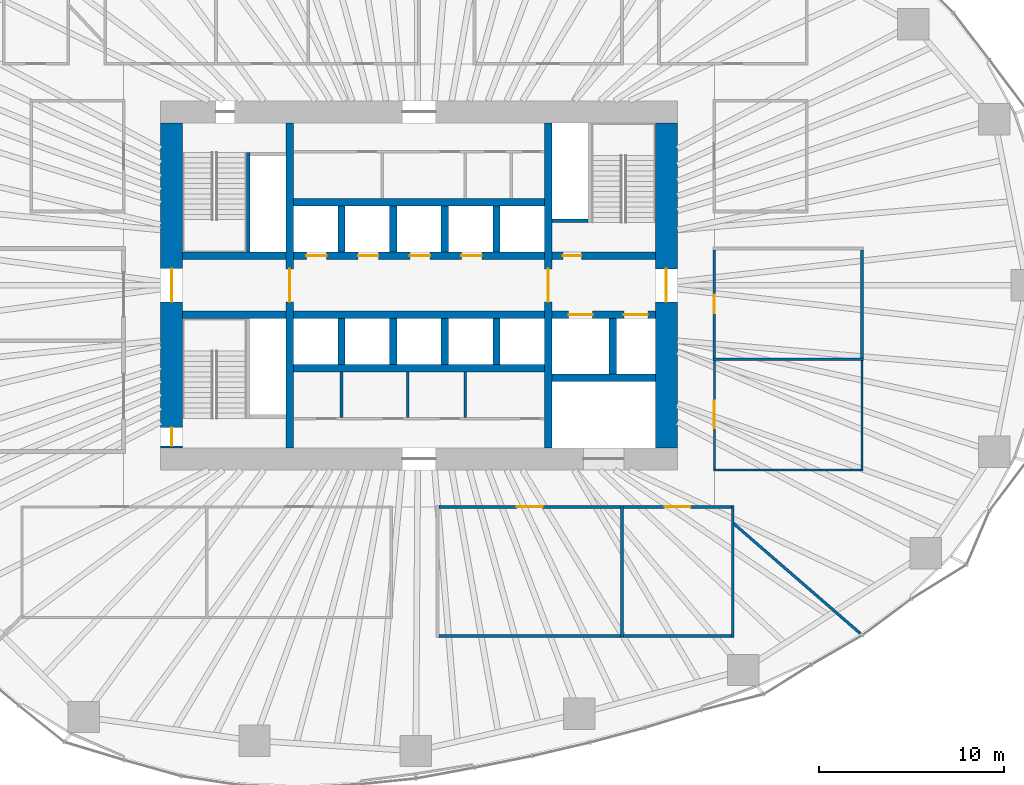
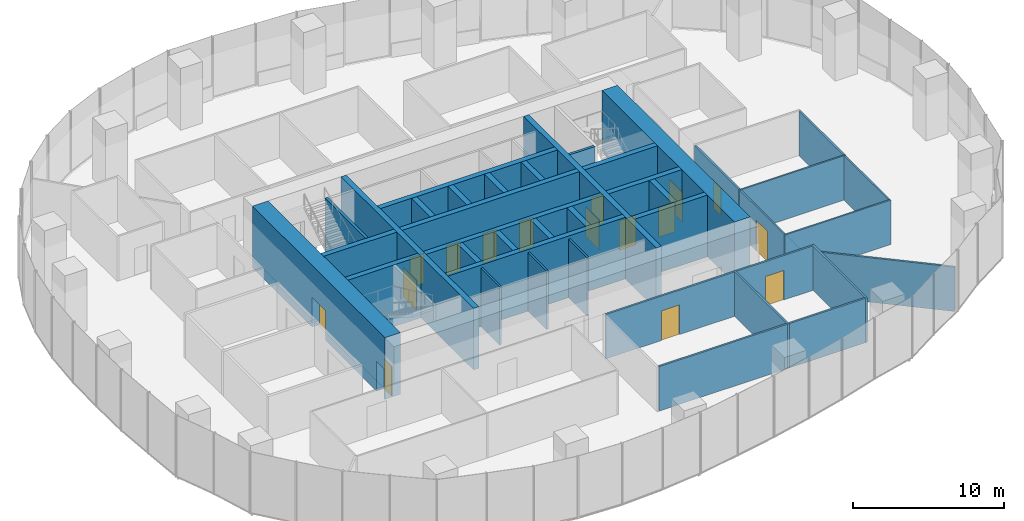
# One storey, part 10 of 20: 40 walls, 16 doors, 16 openings.
"""IFC4 building model written with IfcOpenShell, lengths in metres."""

from ifc_helpers import new_model, si_unit, direction, frame, frame_2d, origin, place, context, subcontext, project, spatial, rectangle, extrude, material, layer, layer_set, type_object, element, fill, save


model = new_model("IFC4")

# Units and contexts
model_context = context("Model", 3, precision=1e-05, world=origin(), true_north=direction((0.0, 1.0)))
body_context = subcontext(model_context, "Body", "Model", "MODEL_VIEW")
ifc_project = project(units=[si_unit("LENGTHUNIT", "METRE"), si_unit("AREAUNIT", "SQUARE_METRE"), si_unit("VOLUMEUNIT", "CUBIC_METRE"), si_unit("PLANEANGLEUNIT", "RADIAN"), si_unit("MASSUNIT", "GRAM", prefix="KILO")], contexts=[model_context])

# Site, building, storey
site_placement = place(None, origin())
site = spatial("IfcSite", under=ifc_project, at=site_placement, CompositionType="ELEMENT")
building_placement = place(site_placement, origin())
building = spatial("IfcBuilding", under=site, at=building_placement, Name="Ghaith Harvest Tower", CompositionType="ELEMENT")
storey_placement = place(building_placement, frame((0.0, 0.0, 80.0)))
storey = spatial("IfcBuildingStorey", under=building, at=storey_placement, Name="L16", CompositionType="ELEMENT", Elevation=80.0)

# Walls
ifc_material_1 = material(Name="Concrete blockwork, fair-faced", Category="masonry")
ifc_layer_1 = layer(ifc_material_1, 0.139892578125)
ifc_layer_set_1 = layer_set([ifc_layer_1], Name="CORE PARTITION 140")
wall_type_1 = type_object("IfcWallType", Name="CORE PARTITION 140", PredefinedType="PARTITIONING", material=ifc_layer_set_1)
for number, where, z_axis, x_axis, name in (
    (1, (-4.199951171875, -4.699951171875, 0.0), (0.0, 0.0, 1.0), (0.0, -1.0, 0.0), "Core partition L16"),
    (2, (-0.60009765625, -4.699951171875, 0.0), (0.0, 0.0, 1.0), (0.0, -1.0, 0.0), "Core partition L16"),
    (3, (2.5, -4.699951171875, 0.0), (0.0, 0.0, 1.0), (0.0, -1.0, 0.0), "Core partition L16"),
):
    element("IfcWall", number, at=place(storey_placement, frame(where, z_axis=z_axis, x_axis=x_axis)), inside=storey, type_object=wall_type_1, Name=name, PredefinedType="PARTITIONING", context=body_context, shape_type="SweptSolid", body=[
        extrude(rectangle(XDim=2.4599609375, YDim=0.139892578125, at=frame_2d((1.22998046875, 0.0))), origin(), (0.0, 0.0, 1.0), 4.75),
    ])

# Wall, openings, doors
ifc_material_2 = material(Name="Concrete C70/85", Category="concrete")
ifc_layer_2 = layer(ifc_material_2, 1.199951171875)
ifc_layer_set_2 = layer_set([ifc_layer_2], Name="CORE WALL CW1200")
wall_type_2 = type_object("IfcWallType", Name="CORE WALL CW1200", PredefinedType="SHEAR", material=ifc_layer_set_2)
wall_1_placement = place(storey_placement, frame((-13.39990234375, 8.800048828125, 0.0), z_axis=(0.0, 0.0, 1.0), x_axis=(0.0, -1.0, 0.0)))
wall_1 = element("IfcWall", 4, at=wall_1_placement, inside=storey, type_object=wall_type_2, Name="Core wall W L16", PredefinedType="SHEAR", context=body_context, shape_type="SweptSolid", body=[
    extrude(rectangle(XDim=17.60009765625, YDim=1.199951171875, at=frame_2d((8.800048828125, 0.0))), origin(), (0.0, 0.0, 1.0), 5.0),
])
opening_1_placement = place(wall_1_placement, frame((7.89990234375, 0.0, 0.0)))
opening_1 = element("IfcOpeningElement", 5, at=opening_1_placement, cuts=wall_1, Name="Opening 16-001", PredefinedType="OPENING", context=body_context, shape_type="SweptSolid", body=[
    extrude(rectangle(XDim=1.800048828125, YDim=2.39990234375, at=frame_2d((0.89990234375, 1.199951171875))), frame((0.0, 0.60986328125, 0.0), z_axis=(0.0, -1.0, 0.0), x_axis=(1.0, 0.0, 0.0)), (0.0, 0.0, 1.0), 1.219970703125),
])
opening_2_placement = place(wall_1_placement, frame((16.5, 0.0, 0.0)))
opening_2 = element("IfcOpeningElement", 6, at=opening_2_placement, cuts=wall_1, Name="Opening 16-006", PredefinedType="OPENING", context=body_context, shape_type="SweptSolid", body=[
    extrude(rectangle(XDim=1.0, YDim=2.39990234375, at=frame_2d((0.5, 1.199951171875))), frame((0.0, 0.60986328125, 0.0), z_axis=(0.0, -1.0, 0.0), x_axis=(1.0, 0.0, 0.0)), (0.0, 0.0, 1.0), 1.219970703125),
])
ifc_material_3 = material(Name="Steel fire door", Category="steel")
door_type_1 = type_object("IfcDoorType", Name="D3 FD90 1000x2400", OperationType="SINGLE_SWING_LEFT", PredefinedType="DOOR", material=ifc_material_3)
door_1_placement = place(opening_2_placement, origin())
door_1 = element("IfcDoor", 7, at=door_1_placement, inside=storey, type_object=door_type_1, Name="Stair ST3 door", OperationType="SINGLE_SWING_RIGHT", OverallHeight=2.39990234375, OverallWidth=1.0, PredefinedType="DOOR", context=body_context, shape_type="SweptSolid", body=[
    extrude(rectangle(XDim=1.0, YDim=2.39990234375, at=frame_2d((0.5, 1.199951171875))), frame((0.0, 0.02490234375, 0.0), z_axis=(0.0, -1.0, 0.0), x_axis=(1.0, 0.0, 0.0)), (0.0, 0.0, 1.0), 0.050048828125),
])
fill(opening_2, door_1)
ifc_material_4 = material(Name="Steel fire door", Category="steel")
door_type_2 = type_object("IfcDoorType", Name="D4 FD90 PAIR 1800x2400", OperationType="DOUBLE_DOOR_SINGLE_SWING", PredefinedType="DOOR", material=ifc_material_4)
door_2_placement = place(opening_1_placement, origin())
door_2 = element("IfcDoor", 8, at=door_2_placement, inside=storey, type_object=door_type_2, Name="West lobby doors", OperationType="DOUBLE_DOOR_SINGLE_SWING", OverallHeight=2.39990234375, OverallWidth=1.800048828125, PredefinedType="DOOR", context=body_context, shape_type="SweptSolid", body=[
    extrude(rectangle(XDim=1.800048828125, YDim=2.39990234375, at=frame_2d((0.89990234375, 1.199951171875))), frame((0.0, 0.02490234375, 0.0), z_axis=(0.0, -1.0, 0.0), x_axis=(1.0, 0.0, 0.0)), (0.0, 0.0, 1.0), 0.050048828125),
])
fill(opening_1, door_2)

# Wall, opening, door
wall_2_placement = place(storey_placement, frame((13.39990234375, -8.800048828125, 0.0), z_axis=(0.0, 0.0, 1.0), x_axis=(0.0, 1.0, 0.0)))
wall_2 = element("IfcWall", 9, at=wall_2_placement, inside=storey, type_object=wall_type_2, Name="Core wall E L16", PredefinedType="SHEAR", context=body_context, shape_type="SweptSolid", body=[
    extrude(rectangle(XDim=17.60009765625, YDim=1.199951171875, at=frame_2d((8.800048828125, 0.0))), origin(), (0.0, 0.0, 1.0), 5.0),
])
opening_3_placement = place(wall_2_placement, frame((7.89990234375, 0.0, 0.0)))
opening_3 = element("IfcOpeningElement", 10, at=opening_3_placement, cuts=wall_2, Name="Opening 16-002", PredefinedType="OPENING", context=body_context, shape_type="SweptSolid", body=[
    extrude(rectangle(XDim=1.800048828125, YDim=2.39990234375, at=frame_2d((0.89990234375, 1.199951171875))), frame((0.0, 0.60986328125, 0.0), z_axis=(0.0, -1.0, 0.0), x_axis=(1.0, 0.0, 0.0)), (0.0, 0.0, 1.0), 1.219970703125),
])
door_3_placement = place(opening_3_placement, origin())
door_3 = element("IfcDoor", 11, at=door_3_placement, inside=storey, type_object=door_type_2, Name="Fire-fighting lobby doors", OperationType="DOUBLE_DOOR_SINGLE_SWING", OverallHeight=2.39990234375, OverallWidth=1.800048828125, PredefinedType="DOOR", context=body_context, shape_type="SweptSolid", body=[
    extrude(rectangle(XDim=1.800048828125, YDim=2.39990234375, at=frame_2d((0.89990234375, 1.199951171875))), frame((0.0, 0.02490234375, 0.0), z_axis=(0.0, -1.0, 0.0), x_axis=(1.0, 0.0, 0.0)), (0.0, 0.0, 1.0), 0.050048828125),
])
fill(opening_3, door_3)

# Walls
ifc_material_5 = material(Name="Insulated food-grade panel", Category="steel")
ifc_layer_3 = layer(ifc_material_5, 0.1201171875)
ifc_layer_set_3 = layer_set([ifc_layer_3], Name="INSULATED PANEL WALL 120")
wall_type_3 = type_object("IfcWallType", Name="INSULATED PANEL WALL 120", PredefinedType="PARTITIONING", material=ifc_layer_set_3)
wall_3_placement = place(storey_placement, frame((15.93994140625, -10.0, 0.0), z_axis=(0.0, 0.0, 1.0), x_axis=(1.0, 0.0, 0.0)))
element("IfcWall", 12, at=wall_3_placement, inside=storey, type_object=wall_type_3, Name="Partition L16 row E3 cross wall 1", PredefinedType="PARTITIONING", context=body_context, shape_type="SweptSolid", body=[
    extrude(rectangle(XDim=8.1201171875, YDim=0.1201171875, at=frame_2d((4.06005859375, 0.0))), origin(), (0.0, 0.0, 1.0), 3.60009765625),
])
wall_4_placement = place(storey_placement, frame((15.925048828125, -4.0, 0.0), z_axis=(0.0, 0.0, 1.0), x_axis=(1.0, 0.0, 0.0)))
element("IfcWall", 13, at=wall_4_placement, inside=storey, type_object=wall_type_3, Name="Partition L16 row E3 cross wall 2", PredefinedType="PARTITIONING", context=body_context, shape_type="SweptSolid", body=[
    extrude(rectangle(XDim=8.14990234375, YDim=0.1201171875, at=frame_2d((4.074951171875, 0.0))), origin(), (0.0, 0.0, 1.0), 3.60009765625),
])

# Wall, opening, door
wall_5_placement = place(storey_placement, frame((16.0, -9.93994140625, 0.0), z_axis=(0.0, 0.0, 1.0), x_axis=(0.0, 1.0, 0.0)))
wall_5 = element("IfcWall", 14, at=wall_5_placement, inside=storey, type_object=wall_type_3, Name="Partition L16-05", PredefinedType="PARTITIONING", context=body_context, shape_type="SweptSolid", body=[
    extrude(rectangle(XDim=5.8798828125, YDim=0.1201171875, at=frame_2d((2.93994140625, 0.0))), origin(), (0.0, 0.0, 1.0), 3.60009765625),
])
opening_4_placement = place(wall_5_placement, frame((2.18994140625, 0.0, 0.0)))
opening_4 = element("IfcOpeningElement", 15, at=opening_4_placement, cuts=wall_5, Name="Opening 16-029", PredefinedType="OPENING", context=body_context, shape_type="SweptSolid", body=[
    extrude(rectangle(XDim=1.5, YDim=2.5, at=frame_2d((0.75, 1.25))), frame((0.0, 0.070068359375, 0.0), z_axis=(0.0, -1.0, 0.0), x_axis=(1.0, 0.0, 0.0)), (0.0, 0.0, 1.0), 0.14013671875),
])
ifc_material_6 = material(Name="Insulated steel sliding door", Category="steel")
door_type_3 = type_object("IfcDoorType", Name="D13 COLD STORE SLIDING 1500x2500", OperationType="SLIDING_TO_LEFT", PredefinedType="DOOR", material=ifc_material_6)
door_4_placement = place(opening_4_placement, origin())
door_4 = element("IfcDoor", 16, at=door_4_placement, inside=storey, type_object=door_type_3, Name="Cold store door", OperationType="SLIDING_TO_LEFT", OverallHeight=2.5, OverallWidth=1.5, PredefinedType="DOOR", context=body_context, shape_type="SweptSolid", body=[
    extrude(rectangle(XDim=1.5, YDim=2.5, at=frame_2d((0.75, 1.25))), frame((0.0, 0.02490234375, 0.0), z_axis=(0.0, -1.0, 0.0), x_axis=(1.0, 0.0, 0.0)), (0.0, 0.0, 1.0), 0.050048828125),
])
fill(opening_4, door_4)

# Walls
wall_6_placement = place(storey_placement, frame((24.0, -9.93994140625, 0.0), z_axis=(0.0, 0.0, 1.0), x_axis=(0.0, 1.0, 0.0)))
element("IfcWall", 17, at=wall_6_placement, inside=storey, type_object=wall_type_3, Name="Partition L16-05", PredefinedType="PARTITIONING", context=body_context, shape_type="SweptSolid", body=[
    extrude(rectangle(XDim=5.8798828125, YDim=0.1201171875, at=frame_2d((2.93994140625, 0.0))), origin(), (0.0, 0.0, 1.0), 3.60009765625),
])
ifc_material_7 = material(Name="Gypsum board on steel studs", Category="steel")
ifc_layer_4 = layer(ifc_material_7, 0.14990234375)
ifc_layer_set_4 = layer_set([ifc_layer_4], Name="PARTITION 150")
wall_type_4 = type_object("IfcWallType", Name="PARTITION 150", PredefinedType="PARTITIONING", material=ifc_layer_set_4)
for number, where, z_axis, x_axis, name in (
    (18, (11.0, -11.925048828125, 0.0), (0.0, 0.0, 1.0), (0.0, -1.0, 0.0), "Partition L16 row S2 cross wall 2"),
    (19, (17.0, -11.925048828125, 0.0), (0.0, 0.0, 1.0), (0.0, -1.0, 0.0), "Partition L16 row S2 cross wall 3"),
):
    element("IfcWall", number, at=place(storey_placement, frame(where, z_axis=z_axis, x_axis=x_axis)), inside=storey, type_object=wall_type_4, Name=name, PredefinedType="PARTITIONING", context=body_context, shape_type="SweptSolid", body=[
        extrude(rectangle(XDim=7.14990234375, YDim=0.14990234375, at=frame_2d((3.574951171875, 0.0))), origin(), (0.0, 0.0, 1.0), 3.60009765625),
    ])

# Wall, opening, door
wall_7_placement = place(storey_placement, frame((1.074951171875, -12.0, 0.0), z_axis=(0.0, 0.0, 1.0), x_axis=(1.0, 0.0, 0.0)))
wall_7 = element("IfcWall", 20, at=wall_7_placement, inside=storey, type_object=wall_type_4, Name="Partition L16-03", PredefinedType="PARTITIONING", context=body_context, shape_type="SweptSolid", body=[
    extrude(rectangle(XDim=9.85009765625, YDim=0.14990234375, at=frame_2d((4.925048828125, 0.0))), origin(), (0.0, 0.0, 1.0), 3.60009765625),
])
opening_5_placement = place(wall_7_placement, frame((4.22509765625, 0.0, 0.0)))
opening_5 = element("IfcOpeningElement", 21, at=opening_5_placement, cuts=wall_7, Name="Opening 16-027", PredefinedType="OPENING", context=body_context, shape_type="SweptSolid", body=[
    extrude(rectangle(XDim=1.39990234375, YDim=2.39990234375, at=frame_2d((0.699951171875, 1.199951171875))), frame((0.0, 0.0849609375, 0.0), z_axis=(0.0, -1.0, 0.0), x_axis=(1.0, 0.0, 0.0)), (0.0, 0.0, 1.0), 0.169921875),
])
ifc_material_8 = material(Name="Stainless steel faced door pair", Category="steel")
door_type_4 = type_object("IfcDoorType", Name="D14 HYGIENE PAIR 1400x2400", OperationType="DOUBLE_DOOR_DOUBLE_SWING", PredefinedType="DOOR", material=ifc_material_8)
door_5_placement = place(opening_5_placement, origin())
door_5 = element("IfcDoor", 22, at=door_5_placement, inside=storey, type_object=door_type_4, Name="Harvest room door", OperationType="DOUBLE_DOOR_DOUBLE_SWING", OverallHeight=2.39990234375, OverallWidth=1.39990234375, PredefinedType="DOOR", context=body_context, shape_type="SweptSolid", body=[
    extrude(rectangle(XDim=1.39990234375, YDim=2.39990234375, at=frame_2d((0.699951171875, 1.199951171875))), frame((0.0, 0.02490234375, 0.0), z_axis=(0.0, -1.0, 0.0), x_axis=(1.0, 0.0, 0.0)), (0.0, 0.0, 1.0), 0.050048828125),
])
fill(opening_5, door_5)

# Wall
wall_8_placement = place(storey_placement, frame((1.074951171875, -19.0, 0.0), z_axis=(0.0, 0.0, 1.0), x_axis=(1.0, 0.0, 0.0)))
element("IfcWall", 23, at=wall_8_placement, inside=storey, type_object=wall_type_4, Name="Partition L16-03", PredefinedType="PARTITIONING", context=body_context, shape_type="SweptSolid", body=[
    extrude(rectangle(XDim=9.85009765625, YDim=0.14990234375, at=frame_2d((4.925048828125, 0.0))), origin(), (0.0, 0.0, 1.0), 3.60009765625),
])

# Wall, opening, door
wall_9_placement = place(storey_placement, frame((11.074951171875, -12.0, 0.0), z_axis=(0.0, 0.0, 1.0), x_axis=(1.0, 0.0, 0.0)))
wall_9 = element("IfcWall", 24, at=wall_9_placement, inside=storey, type_object=wall_type_4, Name="Partition L16-04", PredefinedType="PARTITIONING", context=body_context, shape_type="SweptSolid", body=[
    extrude(rectangle(XDim=5.85009765625, YDim=0.14990234375, at=frame_2d((2.925048828125, 0.0))), origin(), (0.0, 0.0, 1.0), 3.60009765625),
])
opening_6_placement = place(wall_9_placement, frame((2.22509765625, 0.0, 0.0)))
opening_6 = element("IfcOpeningElement", 25, at=opening_6_placement, cuts=wall_9, Name="Opening 16-028", PredefinedType="OPENING", context=body_context, shape_type="SweptSolid", body=[
    extrude(rectangle(XDim=1.39990234375, YDim=2.39990234375, at=frame_2d((0.699951171875, 1.199951171875))), frame((0.0, 0.0849609375, 0.0), z_axis=(0.0, -1.0, 0.0), x_axis=(1.0, 0.0, 0.0)), (0.0, 0.0, 1.0), 0.169921875),
])
door_6_placement = place(opening_6_placement, origin())
door_6 = element("IfcDoor", 26, at=door_6_placement, inside=storey, type_object=door_type_4, Name="Washing room door", OperationType="DOUBLE_DOOR_DOUBLE_SWING", OverallHeight=2.39990234375, OverallWidth=1.39990234375, PredefinedType="DOOR", context=body_context, shape_type="SweptSolid", body=[
    extrude(rectangle(XDim=1.39990234375, YDim=2.39990234375, at=frame_2d((0.699951171875, 1.199951171875))), frame((0.0, 0.02490234375, 0.0), z_axis=(0.0, -1.0, 0.0), x_axis=(1.0, 0.0, 0.0)), (0.0, 0.0, 1.0), 0.050048828125),
])
fill(opening_6, door_6)

# Wall
wall_10_placement = place(storey_placement, frame((11.074951171875, -19.0, 0.0), z_axis=(0.0, 0.0, 1.0), x_axis=(1.0, 0.0, 0.0)))
element("IfcWall", 27, at=wall_10_placement, inside=storey, type_object=wall_type_4, Name="Partition L16-04", PredefinedType="PARTITIONING", context=body_context, shape_type="SweptSolid", body=[
    extrude(rectangle(XDim=5.85009765625, YDim=0.14990234375, at=frame_2d((2.925048828125, 0.0))), origin(), (0.0, 0.0, 1.0), 3.60009765625),
])

# Wall, opening, door
wall_11_placement = place(storey_placement, frame((16.0, -3.93994140625, 0.0), z_axis=(0.0, 0.0, 1.0), x_axis=(0.0, 1.0, 0.0)))
wall_11 = element("IfcWall", 28, at=wall_11_placement, inside=storey, type_object=wall_type_4, Name="Partition L16-06", PredefinedType="PARTITIONING", context=body_context, shape_type="SweptSolid", body=[
    extrude(rectangle(XDim=5.864990234375, YDim=0.14990234375, at=frame_2d((2.9326171875, 0.0))), origin(), (0.0, 0.0, 1.0), 3.60009765625),
])
opening_7_placement = place(wall_11_placement, frame((2.4326171875, 0.0, 0.0)))
opening_7 = element("IfcOpeningElement", 29, at=opening_7_placement, cuts=wall_11, Name="Opening 16-030", PredefinedType="OPENING", context=body_context, shape_type="SweptSolid", body=[
    extrude(rectangle(XDim=1.0, YDim=2.199951171875, at=frame_2d((0.5, 1.10009765625))), frame((0.0, 0.0849609375, 0.0), z_axis=(0.0, -1.0, 0.0), x_axis=(1.0, 0.0, 0.0)), (0.0, 0.0, 1.0), 0.169921875),
])
ifc_material_9 = material(Name="Timber door", Category="wood")
door_type_5 = type_object("IfcDoorType", Name="D1 SINGLE 1000x2200", OperationType="SINGLE_SWING_LEFT", PredefinedType="DOOR", material=ifc_material_9)
door_7_placement = place(opening_7_placement, origin())
door_7 = element("IfcDoor", 30, at=door_7_placement, inside=storey, type_object=door_type_5, Name="Crate store door", OperationType="SINGLE_SWING_LEFT", OverallHeight=2.199951171875, OverallWidth=1.0, PredefinedType="DOOR", context=body_context, shape_type="SweptSolid", body=[
    extrude(rectangle(XDim=1.0, YDim=2.199951171875, at=frame_2d((0.5, 1.10009765625))), frame((0.0, 0.02490234375, 0.0), z_axis=(0.0, -1.0, 0.0), x_axis=(1.0, 0.0, 0.0)), (0.0, 0.0, 1.0), 0.050048828125),
])
fill(opening_7, door_7)

# Walls
wall_12_placement = place(storey_placement, frame((24.0, -3.93994140625, 0.0), z_axis=(0.0, 0.0, 1.0), x_axis=(0.0, 1.0, 0.0)))
element("IfcWall", 31, at=wall_12_placement, inside=storey, type_object=wall_type_4, Name="Partition L16-06", PredefinedType="PARTITIONING", context=body_context, shape_type="SweptSolid", body=[
    extrude(rectangle(XDim=5.864990234375, YDim=0.14990234375, at=frame_2d((2.9326171875, 0.0))), origin(), (0.0, 0.0, 1.0), 3.60009765625),
])
wall_13_placement = place(storey_placement, frame((17.02001953125, -12.884765625, 0.0), z_axis=(0.0, 0.0, 1.0), x_axis=(0.755439011433, -0.655218971035, 0.0)))
element("IfcWall", 32, at=wall_13_placement, inside=storey, type_object=wall_type_4, Name="Partition L16 zone division", PredefinedType="PARTITIONING", context=body_context, shape_type="SweptSolid", body=[
    extrude(rectangle(XDim=9.1181640625, YDim=0.14990234375, at=frame_2d((4.55908203125, 0.0))), origin(), (0.0, 0.0, 1.0), 3.60009765625),
])

# Wall, opening, door
ifc_material_10 = material(Name="Concrete C70/85", Category="concrete")
ifc_layer_5 = layer(ifc_material_10, 0.39990234375)
ifc_layer_set_5 = layer_set([ifc_layer_5], Name="SHAFT WALL 400")
wall_type_5 = type_object("IfcWallType", Name="SHAFT WALL 400", PredefinedType="SHEAR", material=ifc_layer_set_5)
wall_14_placement = place(storey_placement, frame((-7.0, -8.800048828125, 0.0), z_axis=(0.0, 0.0, 1.0), x_axis=(0.0, 1.0, 0.0)))
wall_14 = element("IfcWall", 33, at=wall_14_placement, inside=storey, type_object=wall_type_5, Name="Shaft wall W7W L16", PredefinedType="SHEAR", context=body_context, shape_type="SweptSolid", body=[
    extrude(rectangle(XDim=17.60009765625, YDim=0.39990234375, at=frame_2d((8.800048828125, 0.0))), origin(), (0.0, 0.0, 1.0), 5.0),
])
opening_8_placement = place(wall_14_placement, frame((7.89990234375, 0.0, 0.0)))
opening_8 = element("IfcOpeningElement", 34, at=opening_8_placement, cuts=wall_14, Name="Opening 16-003", PredefinedType="OPENING", context=body_context, shape_type="SweptSolid", body=[
    extrude(rectangle(XDim=1.800048828125, YDim=2.39990234375, at=frame_2d((0.89990234375, 1.199951171875))), frame((0.0, 0.2099609375, 0.0), z_axis=(0.0, -1.0, 0.0), x_axis=(1.0, 0.0, 0.0)), (0.0, 0.0, 1.0), 0.419921875),
])
door_8_placement = place(opening_8_placement, origin())
door_8 = element("IfcDoor", 35, at=door_8_placement, inside=storey, type_object=door_type_2, Name="Lift lobby doors, west", OperationType="DOUBLE_DOOR_SINGLE_SWING", OverallHeight=2.39990234375, OverallWidth=1.800048828125, PredefinedType="DOOR", context=body_context, shape_type="SweptSolid", body=[
    extrude(rectangle(XDim=1.800048828125, YDim=2.39990234375, at=frame_2d((0.89990234375, 1.199951171875))), frame((0.0, 0.02490234375, 0.0), z_axis=(0.0, -1.0, 0.0), x_axis=(1.0, 0.0, 0.0)), (0.0, 0.0, 1.0), 0.050048828125),
])
fill(opening_8, door_8)

wall_15_placement = place(storey_placement, frame((7.0, -8.800048828125, 0.0), z_axis=(0.0, 0.0, 1.0), x_axis=(0.0, 1.0, 0.0)))
wall_15 = element("IfcWall", 36, at=wall_15_placement, inside=storey, type_object=wall_type_5, Name="Shaft wall W7E L16", PredefinedType="SHEAR", context=body_context, shape_type="SweptSolid", body=[
    extrude(rectangle(XDim=17.60009765625, YDim=0.39990234375, at=frame_2d((8.800048828125, 0.0))), origin(), (0.0, 0.0, 1.0), 5.0),
])
opening_9_placement = place(wall_15_placement, frame((7.89990234375, 0.0, 0.0)))
opening_9 = element("IfcOpeningElement", 37, at=opening_9_placement, cuts=wall_15, Name="Opening 16-004", PredefinedType="OPENING", context=body_context, shape_type="SweptSolid", body=[
    extrude(rectangle(XDim=1.800048828125, YDim=2.39990234375, at=frame_2d((0.89990234375, 1.199951171875))), frame((0.0, 0.2099609375, 0.0), z_axis=(0.0, -1.0, 0.0), x_axis=(1.0, 0.0, 0.0)), (0.0, 0.0, 1.0), 0.419921875),
])
door_9_placement = place(opening_9_placement, origin())
door_9 = element("IfcDoor", 38, at=door_9_placement, inside=storey, type_object=door_type_2, Name="Lift lobby doors, east", OperationType="DOUBLE_DOOR_SINGLE_SWING", OverallHeight=2.39990234375, OverallWidth=1.800048828125, PredefinedType="DOOR", context=body_context, shape_type="SweptSolid", body=[
    extrude(rectangle(XDim=1.800048828125, YDim=2.39990234375, at=frame_2d((0.89990234375, 1.199951171875))), frame((0.0, 0.02490234375, 0.0), z_axis=(0.0, -1.0, 0.0), x_axis=(1.0, 0.0, 0.0)), (0.0, 0.0, 1.0), 0.050048828125),
])
fill(opening_9, door_9)

# Wall, openings, doors
wall_16_placement = place(storey_placement, frame((-6.800048828125, 1.60009765625, 0.0), z_axis=(0.0, 0.0, 1.0), x_axis=(1.0, 0.0, 0.0)))
wall_16 = element("IfcWall", 39, at=wall_16_placement, inside=storey, type_object=wall_type_5, Name="Shaft wall LN L16", PredefinedType="SHEAR", context=body_context, shape_type="SweptSolid", body=[
    extrude(rectangle(XDim=13.60009765625, YDim=0.39990234375, at=frame_2d((6.800048828125, 0.0))), origin(), (0.0, 0.0, 1.0), 5.0),
])
opening_10_placement = place(wall_16_placement, frame((0.699951171875, 0.0, 0.0)))
opening_10 = element("IfcOpeningElement", 40, at=opening_10_placement, cuts=wall_16, Name="Opening 16-018", PredefinedType="OPENING", context=body_context, shape_type="SweptSolid", body=[
    extrude(rectangle(XDim=1.10009765625, YDim=2.39990234375, at=frame_2d((0.550048828125, 1.199951171875))), frame((0.0, 0.2099609375, 0.0), z_axis=(0.0, -1.0, 0.0), x_axis=(1.0, 0.0, 0.0)), (0.0, 0.0, 1.0), 0.419921875),
])
opening_11_placement = place(wall_16_placement, frame((3.5, 0.0, 0.0)))
opening_11 = element("IfcOpeningElement", 41, at=opening_11_placement, cuts=wall_16, Name="Opening 16-019", PredefinedType="OPENING", context=body_context, shape_type="SweptSolid", body=[
    extrude(rectangle(XDim=1.10009765625, YDim=2.39990234375, at=frame_2d((0.550048828125, 1.199951171875))), frame((0.0, 0.2099609375, 0.0), z_axis=(0.0, -1.0, 0.0), x_axis=(1.0, 0.0, 0.0)), (0.0, 0.0, 1.0), 0.419921875),
])
opening_12_placement = place(wall_16_placement, frame((6.300048828125, 0.0, 0.0)))
opening_12 = element("IfcOpeningElement", 42, at=opening_12_placement, cuts=wall_16, Name="Opening 16-020", PredefinedType="OPENING", context=body_context, shape_type="SweptSolid", body=[
    extrude(rectangle(XDim=1.10009765625, YDim=2.39990234375, at=frame_2d((0.550048828125, 1.199951171875))), frame((0.0, 0.2099609375, 0.0), z_axis=(0.0, -1.0, 0.0), x_axis=(1.0, 0.0, 0.0)), (0.0, 0.0, 1.0), 0.419921875),
])
opening_13_placement = place(wall_16_placement, frame((9.10009765625, 0.0, 0.0)))
opening_13 = element("IfcOpeningElement", 43, at=opening_13_placement, cuts=wall_16, Name="Opening 16-021", PredefinedType="OPENING", context=body_context, shape_type="SweptSolid", body=[
    extrude(rectangle(XDim=1.10009765625, YDim=2.39990234375, at=frame_2d((0.550048828125, 1.199951171875))), frame((0.0, 0.2099609375, 0.0), z_axis=(0.0, -1.0, 0.0), x_axis=(1.0, 0.0, 0.0)), (0.0, 0.0, 1.0), 0.419921875),
])
ifc_material_11 = material(Name="Steel fire door", Category="steel")
door_type_6 = type_object("IfcDoorType", Name="LD1 LANDING 1100x2400", OperationType="DOUBLE_DOOR_SLIDING", PredefinedType="DOOR", material=ifc_material_11)
door_10_placement = place(opening_10_placement, origin())
door_10 = element("IfcDoor", 44, at=door_10_placement, inside=storey, type_object=door_type_6, Name="Landing door, lift FA1", OperationType="DOUBLE_DOOR_SLIDING", OverallHeight=2.39990234375, OverallWidth=1.10009765625, PredefinedType="DOOR", context=body_context, shape_type="SweptSolid", body=[
    extrude(rectangle(XDim=1.10009765625, YDim=2.39990234375, at=frame_2d((0.550048828125, 1.199951171875))), frame((0.0, 0.02490234375, 0.0), z_axis=(0.0, -1.0, 0.0), x_axis=(1.0, 0.0, 0.0)), (0.0, 0.0, 1.0), 0.050048828125),
])
fill(opening_10, door_10)
door_11_placement = place(opening_11_placement, origin())
door_11 = element("IfcDoor", 45, at=door_11_placement, inside=storey, type_object=door_type_6, Name="Landing door, lift FA2", OperationType="DOUBLE_DOOR_SLIDING", OverallHeight=2.39990234375, OverallWidth=1.10009765625, PredefinedType="DOOR", context=body_context, shape_type="SweptSolid", body=[
    extrude(rectangle(XDim=1.10009765625, YDim=2.39990234375, at=frame_2d((0.550048828125, 1.199951171875))), frame((0.0, 0.02490234375, 0.0), z_axis=(0.0, -1.0, 0.0), x_axis=(1.0, 0.0, 0.0)), (0.0, 0.0, 1.0), 0.050048828125),
])
fill(opening_11, door_11)
door_12_placement = place(opening_12_placement, origin())
door_12 = element("IfcDoor", 46, at=door_12_placement, inside=storey, type_object=door_type_6, Name="Landing door, lift FA3", OperationType="DOUBLE_DOOR_SLIDING", OverallHeight=2.39990234375, OverallWidth=1.10009765625, PredefinedType="DOOR", context=body_context, shape_type="SweptSolid", body=[
    extrude(rectangle(XDim=1.10009765625, YDim=2.39990234375, at=frame_2d((0.550048828125, 1.199951171875))), frame((0.0, 0.02490234375, 0.0), z_axis=(0.0, -1.0, 0.0), x_axis=(1.0, 0.0, 0.0)), (0.0, 0.0, 1.0), 0.050048828125),
])
fill(opening_12, door_12)
door_13_placement = place(opening_13_placement, origin())
door_13 = element("IfcDoor", 47, at=door_13_placement, inside=storey, type_object=door_type_6, Name="Landing door, lift FA4", OperationType="DOUBLE_DOOR_SLIDING", OverallHeight=2.39990234375, OverallWidth=1.10009765625, PredefinedType="DOOR", context=body_context, shape_type="SweptSolid", body=[
    extrude(rectangle(XDim=1.10009765625, YDim=2.39990234375, at=frame_2d((0.550048828125, 1.199951171875))), frame((0.0, 0.02490234375, 0.0), z_axis=(0.0, -1.0, 0.0), x_axis=(1.0, 0.0, 0.0)), (0.0, 0.0, 1.0), 0.050048828125),
])
fill(opening_13, door_13)

# Walls
for number, where, z_axis, x_axis, name in (
    (48, (-6.800048828125, -1.60009765625, 0.0), (0.0, 0.0, 1.0), (1.0, 0.0, 0.0), "Shaft wall LS L16"),
    (49, (-6.800048828125, 4.5, 0.0), (0.0, 0.0, 1.0), (1.0, 0.0, 0.0), "Shaft wall BN L16"),
    (50, (-6.800048828125, -4.5, 0.0), (0.0, 0.0, 1.0), (1.0, 0.0, 0.0), "Shaft wall BS L16"),
):
    element("IfcWall", number, at=place(storey_placement, frame(where, z_axis=z_axis, x_axis=x_axis)), inside=storey, type_object=wall_type_5, Name=name, PredefinedType="SHEAR", context=body_context, shape_type="SweptSolid", body=[
        extrude(rectangle(XDim=13.60009765625, YDim=0.39990234375, at=frame_2d((6.800048828125, 0.0))), origin(), (0.0, 0.0, 1.0), 5.0),
    ])
for number, where, z_axis, x_axis, name in (
    (51, (-12.800048828125, 1.60009765625, 0.0), (0.0, 0.0, 1.0), (1.0, 0.0, 0.0), "Shaft wall WN L16"),
    (52, (-12.800048828125, -1.60009765625, 0.0), (0.0, 0.0, 1.0), (1.0, 0.0, 0.0), "Shaft wall WS L16"),
):
    element("IfcWall", number, at=place(storey_placement, frame(where, z_axis=z_axis, x_axis=x_axis)), inside=storey, type_object=wall_type_5, Name=name, PredefinedType="SHEAR", context=body_context, shape_type="SweptSolid", body=[
        extrude(rectangle(XDim=5.60009765625, YDim=0.39990234375, at=frame_2d((2.800048828125, 0.0))), origin(), (0.0, 0.0, 1.0), 5.0),
    ])

# Wall, opening, door
wall_17_placement = place(storey_placement, frame((7.199951171875, 1.60009765625, 0.0), z_axis=(0.0, 0.0, 1.0), x_axis=(1.0, 0.0, 0.0)))
wall_17 = element("IfcWall", 53, at=wall_17_placement, inside=storey, type_object=wall_type_5, Name="Shaft wall EN L16", PredefinedType="SHEAR", context=body_context, shape_type="SweptSolid", body=[
    extrude(rectangle(XDim=5.60009765625, YDim=0.39990234375, at=frame_2d((2.800048828125, 0.0))), origin(), (0.0, 0.0, 1.0), 5.0),
])
opening_14_placement = place(wall_17_placement, frame((0.60009765625, 0.0, 0.0)))
opening_14 = element("IfcOpeningElement", 54, at=opening_14_placement, cuts=wall_17, Name="Opening 16-007", PredefinedType="OPENING", context=body_context, shape_type="SweptSolid", body=[
    extrude(rectangle(XDim=1.0, YDim=2.39990234375, at=frame_2d((0.5, 1.199951171875))), frame((0.0, 0.2099609375, 0.0), z_axis=(0.0, -1.0, 0.0), x_axis=(1.0, 0.0, 0.0)), (0.0, 0.0, 1.0), 0.419921875),
])
door_14_placement = place(opening_14_placement, origin())
door_14 = element("IfcDoor", 55, at=door_14_placement, inside=storey, type_object=door_type_1, Name="Stair ST2 door", OperationType="SINGLE_SWING_LEFT", OverallHeight=2.39990234375, OverallWidth=1.0, PredefinedType="DOOR", context=body_context, shape_type="SweptSolid", body=[
    extrude(rectangle(XDim=1.0, YDim=2.39990234375, at=frame_2d((0.5, 1.199951171875))), frame((0.0, 0.02490234375, 0.0), z_axis=(0.0, -1.0, 0.0), x_axis=(1.0, 0.0, 0.0)), (0.0, 0.0, 1.0), 0.050048828125),
])
fill(opening_14, door_14)

# Wall, openings, doors
wall_18_placement = place(storey_placement, frame((7.199951171875, -1.60009765625, 0.0), z_axis=(0.0, 0.0, 1.0), x_axis=(1.0, 0.0, 0.0)))
wall_18 = element("IfcWall", 56, at=wall_18_placement, inside=storey, type_object=wall_type_5, Name="Shaft wall ES L16", PredefinedType="SHEAR", context=body_context, shape_type="SweptSolid", body=[
    extrude(rectangle(XDim=5.60009765625, YDim=0.39990234375, at=frame_2d((2.800048828125, 0.0))), origin(), (0.0, 0.0, 1.0), 5.0),
])
opening_15_placement = place(wall_18_placement, frame((0.89990234375, 0.0, 0.0)))
opening_15 = element("IfcOpeningElement", 57, at=opening_15_placement, cuts=wall_18, Name="Opening 16-022", PredefinedType="OPENING", context=body_context, shape_type="SweptSolid", body=[
    extrude(rectangle(XDim=1.300048828125, YDim=2.39990234375, at=frame_2d((0.64990234375, 1.199951171875))), frame((0.0, 0.2099609375, 0.0), z_axis=(0.0, -1.0, 0.0), x_axis=(1.0, 0.0, 0.0)), (0.0, 0.0, 1.0), 0.419921875),
])
opening_16_placement = place(wall_18_placement, frame((3.89990234375, 0.0, 0.0)))
opening_16 = element("IfcOpeningElement", 58, at=opening_16_placement, cuts=wall_18, Name="Opening 16-023", PredefinedType="OPENING", context=body_context, shape_type="SweptSolid", body=[
    extrude(rectangle(XDim=1.300048828125, YDim=2.39990234375, at=frame_2d((0.64990234375, 1.199951171875))), frame((0.0, 0.2099609375, 0.0), z_axis=(0.0, -1.0, 0.0), x_axis=(1.0, 0.0, 0.0)), (0.0, 0.0, 1.0), 0.419921875),
])
ifc_material_12 = material(Name="Steel fire door", Category="steel")
door_type_7 = type_object("IfcDoorType", Name="LD2 LANDING 1300x2400", OperationType="DOUBLE_DOOR_SLIDING", PredefinedType="DOOR", material=ifc_material_12)
door_15_placement = place(opening_15_placement, origin())
door_15 = element("IfcDoor", 59, at=door_15_placement, inside=storey, type_object=door_type_7, Name="Landing door, fire service lift FL1", OperationType="DOUBLE_DOOR_SLIDING", OverallHeight=2.39990234375, OverallWidth=1.300048828125, PredefinedType="DOOR", context=body_context, shape_type="SweptSolid", body=[
    extrude(rectangle(XDim=1.300048828125, YDim=2.39990234375, at=frame_2d((0.64990234375, 1.199951171875))), frame((0.0, 0.02490234375, 0.0), z_axis=(0.0, -1.0, 0.0), x_axis=(1.0, 0.0, 0.0)), (0.0, 0.0, 1.0), 0.050048828125),
])
fill(opening_15, door_15)
door_16_placement = place(opening_16_placement, origin())
door_16 = element("IfcDoor", 60, at=door_16_placement, inside=storey, type_object=door_type_7, Name="Landing door, fire service lift FL2", OperationType="DOUBLE_DOOR_SLIDING", OverallHeight=2.39990234375, OverallWidth=1.300048828125, PredefinedType="DOOR", context=body_context, shape_type="SweptSolid", body=[
    extrude(rectangle(XDim=1.300048828125, YDim=2.39990234375, at=frame_2d((0.64990234375, 1.199951171875))), frame((0.0, 0.02490234375, 0.0), z_axis=(0.0, -1.0, 0.0), x_axis=(1.0, 0.0, 0.0)), (0.0, 0.0, 1.0), 0.050048828125),
])
fill(opening_16, door_16)

# Walls
wall_19_placement = place(storey_placement, frame((10.5, -4.800048828125, 0.0), z_axis=(0.0, 0.0, 1.0), x_axis=(0.0, 1.0, 0.0)))
element("IfcWall", 61, at=wall_19_placement, inside=storey, type_object=wall_type_5, Name="Shaft wall FLD L16", PredefinedType="SHEAR", context=body_context, shape_type="SweptSolid", body=[
    extrude(rectangle(XDim=3.0, YDim=0.39990234375, at=frame_2d((1.5, 0.0))), origin(), (0.0, 0.0, 1.0), 5.0),
])
wall_20_placement = place(storey_placement, frame((7.199951171875, -5.0, 0.0), z_axis=(0.0, 0.0, 1.0), x_axis=(1.0, 0.0, 0.0)))
element("IfcWall", 62, at=wall_20_placement, inside=storey, type_object=wall_type_5, Name="Shaft wall FLB L16", PredefinedType="SHEAR", context=body_context, shape_type="SweptSolid", body=[
    extrude(rectangle(XDim=5.60009765625, YDim=0.39990234375, at=frame_2d((2.800048828125, 0.0))), origin(), (0.0, 0.0, 1.0), 5.0),
])
for number, where, z_axis, x_axis, name in (
    (63, (-4.199951171875, 1.800048828125, 0.0), (0.0, 0.0, 1.0), (0.0, 1.0, 0.0), "Shaft wall DN1 L16"),
    (64, (-4.199951171875, -4.300048828125, 0.0), (0.0, 0.0, 1.0), (0.0, 1.0, 0.0), "Shaft wall DS1 L16"),
    (65, (-1.39990234375, 1.800048828125, 0.0), (0.0, 0.0, 1.0), (0.0, 1.0, 0.0), "Shaft wall DN2 L16"),
    (66, (-1.39990234375, -4.300048828125, 0.0), (0.0, 0.0, 1.0), (0.0, 1.0, 0.0), "Shaft wall DS2 L16"),
    (67, (1.39990234375, 1.800048828125, 0.0), (0.0, 0.0, 1.0), (0.0, 1.0, 0.0), "Shaft wall DN3 L16"),
    (68, (1.39990234375, -4.300048828125, 0.0), (0.0, 0.0, 1.0), (0.0, 1.0, 0.0), "Shaft wall DS3 L16"),
    (69, (4.199951171875, 1.800048828125, 0.0), (0.0, 0.0, 1.0), (0.0, 1.0, 0.0), "Shaft wall DN4 L16"),
    (70, (4.199951171875, -4.300048828125, 0.0), (0.0, 0.0, 1.0), (0.0, 1.0, 0.0), "Shaft wall DS4 L16"),
):
    element("IfcWall", number, at=place(storey_placement, frame(where, z_axis=z_axis, x_axis=x_axis)), inside=storey, type_object=wall_type_5, Name=name, PredefinedType="SHEAR", context=body_context, shape_type="SweptSolid", body=[
        extrude(rectangle(XDim=2.5, YDim=0.39990234375, at=frame_2d((1.25, 0.0))), origin(), (0.0, 0.0, 1.0), 5.0),
    ])
ifc_material_13 = material(Name="Concrete C40/50", Category="concrete")
ifc_layer_6 = layer(ifc_material_13, 0.199951171875)
ifc_layer_set_6 = layer_set([ifc_layer_6], Name="STAIR SPINE WALL RC200")
wall_type_6 = type_object("IfcWallType", Name="STAIR SPINE WALL RC200", PredefinedType="SOLIDWALL", material=ifc_layer_set_6)
wall_21_placement = place(storey_placement, frame((-9.25, 7.199951171875, 0.0), z_axis=(0.0, 0.0, 1.0), x_axis=(0.0, -1.0, 0.0)))
element("IfcWall", 71, at=wall_21_placement, inside=storey, type_object=wall_type_6, Name="Stair ST1 spine wall L16", PredefinedType="SOLIDWALL", context=body_context, shape_type="SweptSolid", body=[
    extrude(rectangle(XDim=5.39990234375, YDim=0.199951171875, at=frame_2d((2.699951171875, 0.0))), origin(), (0.0, 0.0, 1.0), 5.0),
])
wall_22_placement = place(storey_placement, frame((9.14990234375, 3.5, 0.0), z_axis=(0.0, 0.0, 1.0), x_axis=(-1.0, 0.0, 0.0)))
element("IfcWall", 72, at=wall_22_placement, inside=storey, type_object=wall_type_6, Name="Stair ST2 spine wall return L16", PredefinedType="SOLIDWALL", context=body_context, shape_type="SweptSolid", body=[
    extrude(rectangle(XDim=1.949951171875, YDim=0.199951171875, at=frame_2d((0.97509765625, 0.0))), origin(), (0.0, 0.0, 1.0), 5.0),
])

save(model, "model.ifc")
